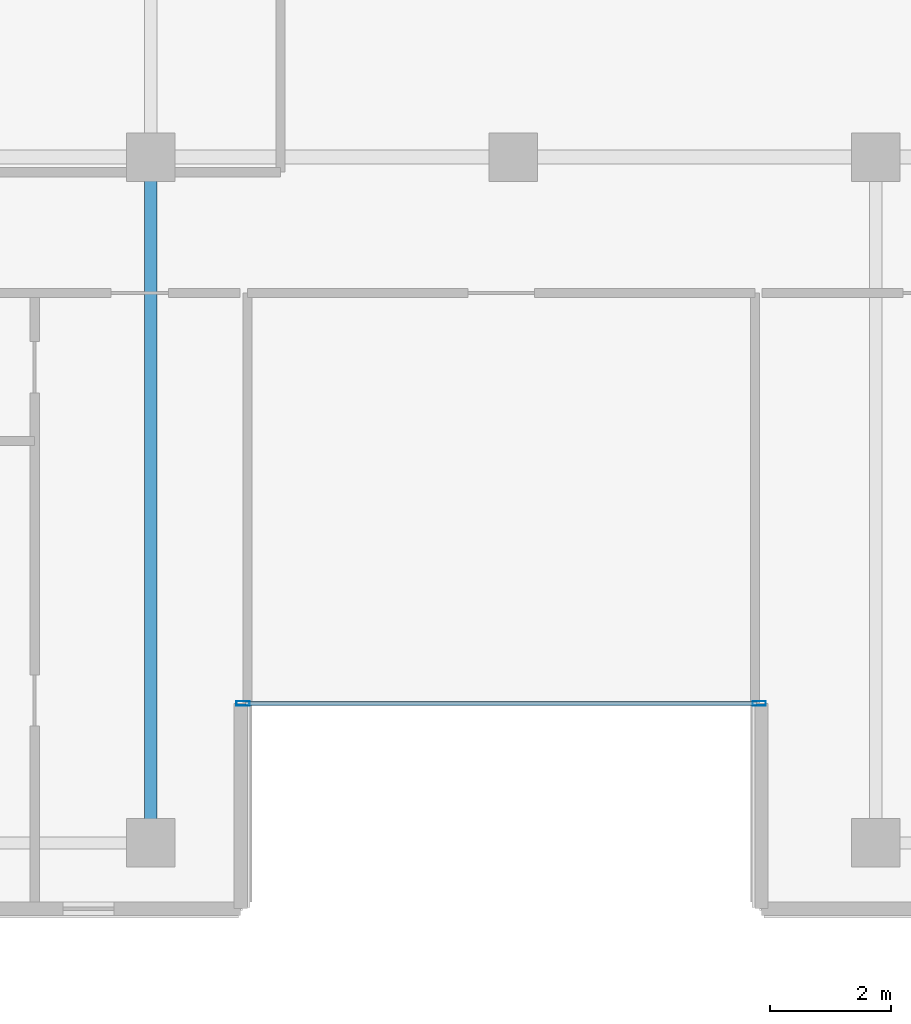
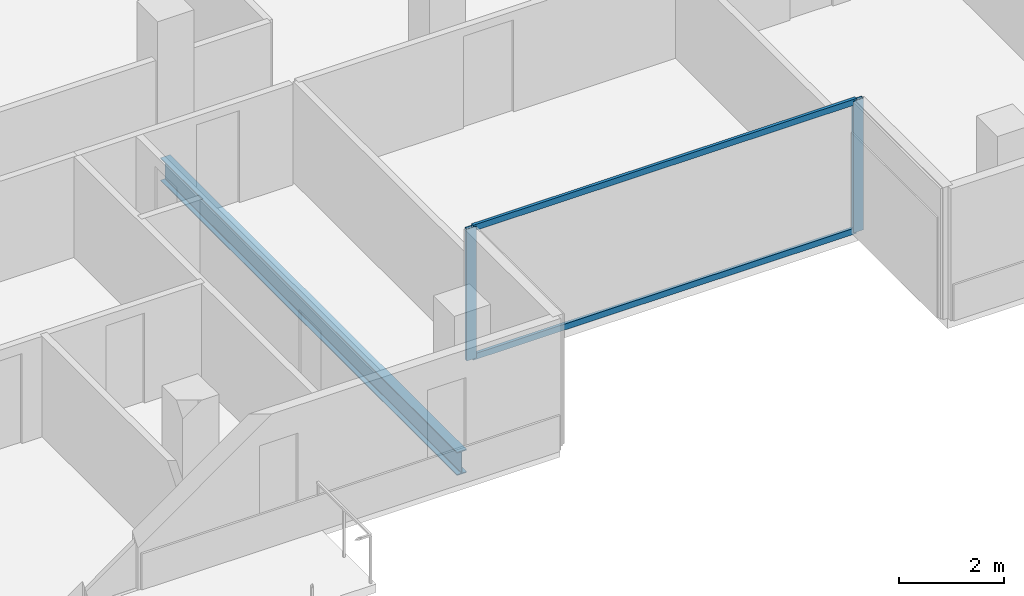
# One storey, part 2 of 16: 4 members, 1 beam, 1 element without a shape of its own.
"""IFC4 building model written with IfcOpenShell, lengths in metres."""

from ifc_helpers import new_model, si_unit, direction, frame, origin, origin_2d, place, context, subcontext, project, spatial, hollow_rectangle, i_section, extrude, material, layer, layer_set, material_profile, profile_set, type_object, element, aggregate, save


model = new_model("IFC4")

# Units and contexts
model_context = context("Model", 3, precision=1e-05, world=origin(), true_north=direction((0.0, 1.0)))
body_context = subcontext(model_context, "Body", "Model", "MODEL_VIEW")
ifc_project = project(units=[si_unit("LENGTHUNIT", "METRE"), si_unit("AREAUNIT", "SQUARE_METRE"), si_unit("VOLUMEUNIT", "CUBIC_METRE"), si_unit("PLANEANGLEUNIT", "RADIAN"), si_unit("MASSUNIT", "GRAM", prefix="KILO")], contexts=[model_context])

# Site, building, storey
site_placement = place(None, origin())
site = spatial("IfcSite", under=ifc_project, at=site_placement, CompositionType="ELEMENT")
building_placement = place(site_placement, origin())
building = spatial("IfcBuilding", under=site, at=building_placement, Name="Tanjung Sevakor Pilgrim Tower", CompositionType="ELEMENT")
storey_placement = place(building_placement, frame((0.0, 0.0, 198.330078125)))
storey = spatial("IfcBuildingStorey", under=building, at=storey_placement, Name="L55", CompositionType="ELEMENT", Elevation=198.330078125)

# Beam
ifc_material_1 = material(Name="Steel S355J2", Category="steel")
ifc_material_profile_1 = material_profile(ifc_material_1, i_section(OverallWidth=0.2119140625, OverallDepth=0.54443359375, WebThickness=0.0126953125, FlangeThickness=0.021240234375, FilletRadius=0.0126953125, at=origin_2d()))
ifc_profile_set_1 = profile_set([ifc_material_profile_1], Name="Steel S355J2")
beam_type = type_object("IfcBeamType", Name="BM-B-G5-UB_533x210x122", PredefinedType="BEAM", material=ifc_profile_set_1)
beam_placement = place(storey_placement, frame((42.0, 13.25, -0.492431640625), z_axis=(0.0, 1.0, 0.0), x_axis=(-1.0, 0.0, 0.0)))
element("IfcBeam", 1, at=beam_placement, inside=storey, type_object=beam_type, Name="L55 MAIN Girder 001", PredefinedType="BEAM", context=body_context, shape_type="SweptSolid", body=[
    extrude(i_section(OverallWidth=0.2119140625, OverallDepth=0.54443359375, WebThickness=0.0126953125, FlangeThickness=0.021240234375, FilletRadius=0.0126953125, at=origin_2d()), origin(), (0.0, 0.0, 1.0), 11.35009765625),
])

# Curtain wall, members
ifc_material_2 = material(Name="Aluminium 6063-T6 and Low-E Glass", Category="aluminium")
ifc_layer = layer(ifc_material_2, 0.179931640625)
ifc_layer_set = layer_set([ifc_layer], Name="CW-SYS-CLEFT")
curtain_wall_type = type_object("IfcCurtainWallType", Name="CW-SYS-CLEFT", PredefinedType="NOTDEFINED", material=ifc_layer_set)
curtain_wall_placement = place(storey_placement, origin())
curtain_wall = element("IfcCurtainWall", 2, at=curtain_wall_placement, inside=storey, type_object=curtain_wall_type, Name="L55 Curtain Wall CW-CLF-L55-2", PredefinedType="NOTDEFINED")
ifc_material_3 = material(Name="Aluminium 6063-T6", Category="aluminium")
ifc_material_profile_2 = material_profile(ifc_material_3, hollow_rectangle(XDim=0.074951171875, YDim=0.219970703125, WallThickness=0.0048828125, at=origin_2d()))
ifc_profile_set_2 = profile_set([ifc_material_profile_2], Name="Aluminium 6063-T6")
member_type_1 = type_object("IfcMemberType", Name="TYPE-CWM-2", PredefinedType="MULLION", material=ifc_profile_set_2)
member_1_placement = place(storey_placement, frame((43.527587890625, 15.56005859375, 0.0), z_axis=(0.0, 0.0, 1.0), x_axis=(0.0, 1.0, 0.0)))
member_1 = element("IfcMember", 3, at=member_1_placement, type_object=member_type_1, Name="CW-CLF mullion 1", PredefinedType="MULLION", context=body_context, shape_type="SweptSolid", body=[
    extrude(hollow_rectangle(XDim=0.074951171875, YDim=0.219970703125, WallThickness=0.0048828125, at=origin_2d()), origin(), (0.0, 0.0, 1.0), 3.079833984375),
])
member_2_placement = place(storey_placement, frame((52.072509765625, 15.56005859375, 0.0), z_axis=(0.0, 0.0, 1.0), x_axis=(0.0, 1.0, 0.0)))
member_2 = element("IfcMember", 4, at=member_2_placement, type_object=member_type_1, Name="CW-CLF mullion 2", PredefinedType="MULLION", context=body_context, shape_type="SweptSolid", body=[
    extrude(hollow_rectangle(XDim=0.074951171875, YDim=0.219970703125, WallThickness=0.0048828125, at=origin_2d()), origin(), (0.0, 0.0, 1.0), 3.079833984375),
])
ifc_material_4 = material(Name="Aluminium 6063-T6", Category="aluminium")
ifc_material_profile_3 = material_profile(ifc_material_4, hollow_rectangle(XDim=0.06494140625, YDim=0.139892578125, WallThickness=0.00390625, at=origin_2d()))
ifc_profile_set_3 = profile_set([ifc_material_profile_3], Name="Aluminium 6063-T6")
member_type_2 = type_object("IfcMemberType", Name="TYPE-CWT-1", PredefinedType="USERDEFINED", material=ifc_profile_set_3)
member_3_placement = place(storey_placement, frame((43.56494140625, 15.56005859375, 0.032470703125), z_axis=(1.0, 0.0, 0.0), x_axis=(0.0, 1.0, 0.0)))
member_3 = element("IfcMember", 5, at=member_3_placement, type_object=member_type_2, Name="CW-CLF transom 1.1", ObjectType="TRANSOM", PredefinedType="USERDEFINED", context=body_context, shape_type="SweptSolid", body=[
    extrude(hollow_rectangle(XDim=0.06494140625, YDim=0.139892578125, WallThickness=0.00390625, at=origin_2d()), origin(), (0.0, 0.0, 1.0), 8.469970703125),
])
member_4_placement = place(storey_placement, frame((43.56494140625, 15.56005859375, 3.04736328125), z_axis=(1.0, 0.0, 0.0), x_axis=(0.0, 1.0, 0.0)))
member_4 = element("IfcMember", 6, at=member_4_placement, type_object=member_type_2, Name="CW-CLF transom 1.2", ObjectType="TRANSOM", PredefinedType="USERDEFINED", context=body_context, shape_type="SweptSolid", body=[
    extrude(hollow_rectangle(XDim=0.06494140625, YDim=0.139892578125, WallThickness=0.00390625, at=origin_2d()), origin(), (0.0, 0.0, 1.0), 8.469970703125),
])
aggregate(curtain_wall, [member_1, member_2, member_3, member_4])

save(model, "model.ifc")
